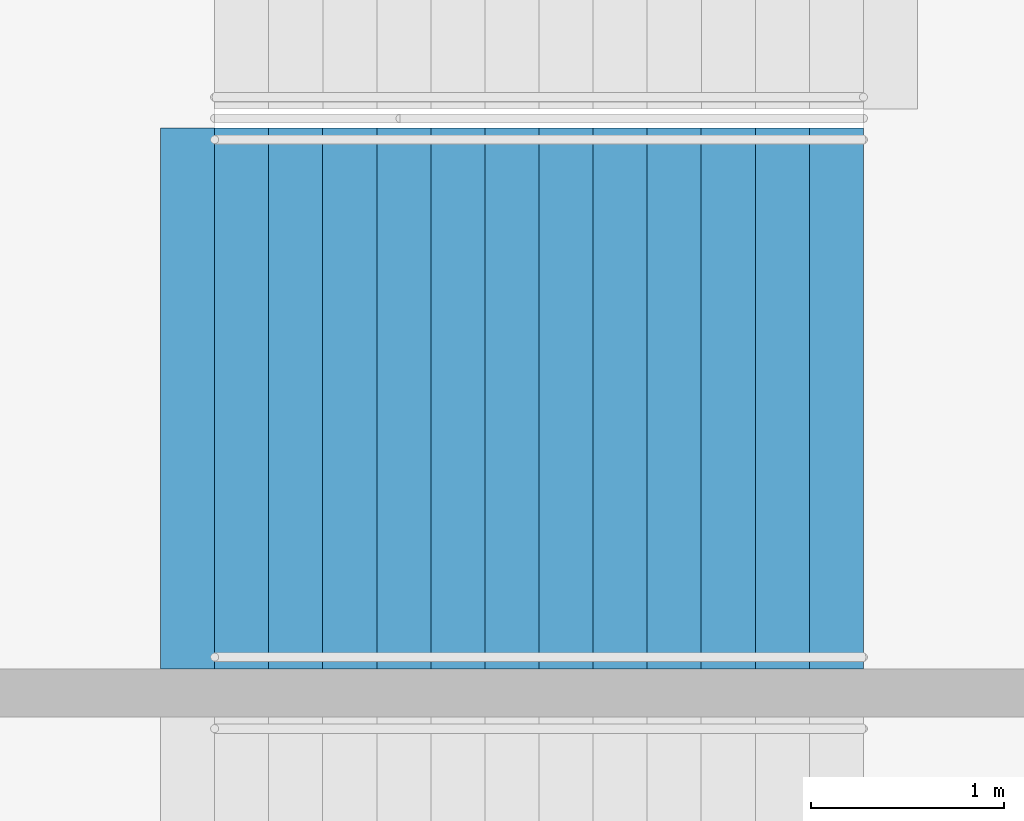
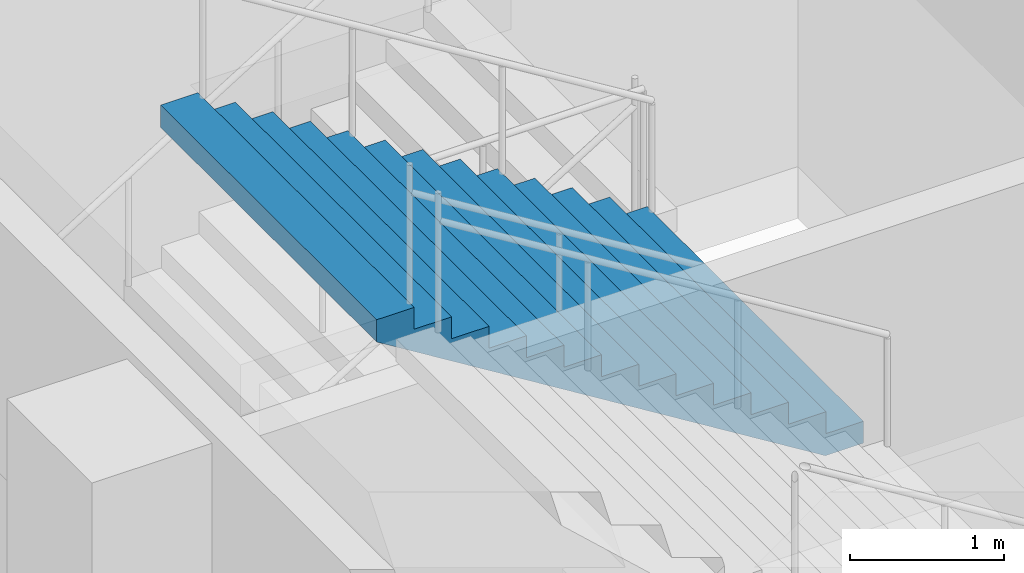
# One storey, part 148 of 199: 1 stair flight, 1 element without a shape of its own.
"""IFC4 building model written with IfcOpenShell, lengths in metres."""

from ifc_helpers import new_model, si_unit, direction, frame, origin, place, context, subcontext, project, spatial, faceted_brep, material, type_object, element, aggregate, save


model = new_model("IFC4")

# Units and contexts
model_context = context("Model", 3, precision=1e-05, world=origin(), true_north=direction((0.0, 1.0)))
body_context = subcontext(model_context, "Body", "Model", "MODEL_VIEW")
ifc_project = project(units=[si_unit("LENGTHUNIT", "METRE"), si_unit("AREAUNIT", "SQUARE_METRE"), si_unit("VOLUMEUNIT", "CUBIC_METRE"), si_unit("PLANEANGLEUNIT", "RADIAN"), si_unit("MASSUNIT", "GRAM", prefix="KILO")], contexts=[model_context])

# Site, building, storey
site_placement = place(None, origin())
site = spatial("IfcSite", under=ifc_project, at=site_placement, CompositionType="ELEMENT")
building_placement = place(site_placement, origin())
building = spatial("IfcBuilding", under=site, at=building_placement, Name="Ogive Plaza Stadium", CompositionType="ELEMENT")
storey_placement = place(building_placement, frame((0.0, 0.0, 9.0)))
storey = spatial("IfcBuildingStorey", under=building, at=storey_placement, Name="L02", CompositionType="ELEMENT", Elevation=9.0)

# Stair, stair flight
ifc_material_1 = material(Name="Concrete C40/50", Category="concrete")
stair_type = type_object("IfcStairType", Name="Exit stair", PredefinedType="STRAIGHT_RUN_STAIR", material=ifc_material_1)
stair_placement = place(storey_placement, origin())
stair = element("IfcStair", 1, at=stair_placement, inside=storey, type_object=stair_type, Name="Exit stair ST04B L02 to L03", PredefinedType="STRAIGHT_RUN_STAIR")
ifc_material_2 = material(Name="Concrete C40/50", Category="concrete")
stair_flight_type = type_object("IfcStairFlightType", Name="Exit stair flight", PredefinedType="STRAIGHT", material=ifc_material_2)
stair_flight_placement = place(storey_placement, frame((79.7099609375, 9.02490234375, 2.25), z_axis=(0.0, 0.0, 1.0), x_axis=(-1.0, 0.0, 0.0)))
stair_flight = element("IfcStairFlight", 2, at=stair_flight_placement, type_object=stair_flight_type, Name="ST04B flight 2", NumberOfRisers=13, NumberOfTreads=12, PredefinedType="STRAIGHT", RiserHeight=0.173076923, TreadLength=0.28, context=body_context, shape_type="Brep", body=[
    faceted_brep([(0.28515625, -1.39990234375, 0.0), (3.639892578125, -1.39990234375, 2.07373046875), (3.639892578125, -1.39990234375, 2.25), (3.360107421875, -1.39990234375, 2.25), (3.360107421875, -1.39990234375, 2.076904296875), (3.080078125, -1.39990234375, 2.076904296875), (3.080078125, -1.39990234375, 1.90380859375), (2.800048828125, -1.39990234375, 1.90380859375), (2.800048828125, -1.39990234375, 1.730712890625), (2.52001953125, -1.39990234375, 1.730712890625), (2.52001953125, -1.39990234375, 1.5576171875), (2.239990234375, -1.39990234375, 1.5576171875), (2.239990234375, -1.39990234375, 1.384521484375), (1.9599609375, -1.39990234375, 1.384521484375), (1.9599609375, -1.39990234375, 1.21142578125), (1.679931640625, -1.39990234375, 1.21142578125), (1.679931640625, -1.39990234375, 1.03857421875), (1.39990234375, -1.39990234375, 1.03857421875), (1.39990234375, -1.39990234375, 0.865478515625), (1.1201171875, -1.39990234375, 0.865478515625), (1.1201171875, -1.39990234375, 0.6923828125), (0.840087890625, -1.39990234375, 0.6923828125), (0.840087890625, -1.39990234375, 0.519287109375), (0.56005859375, -1.39990234375, 0.519287109375), (0.56005859375, -1.39990234375, 0.34619140625), (0.280029296875, -1.39990234375, 0.34619140625), (0.280029296875, -1.39990234375, 0.173095703125), (0.0, -1.39990234375, 0.173095703125), (0.0, -1.39990234375, 0.0), (0.0, 1.39990234375, 0.0), (0.0, 1.39990234375, 0.173095703125), (0.280029296875, 1.39990234375, 0.173095703125), (0.280029296875, 1.39990234375, 0.34619140625), (0.56005859375, 1.39990234375, 0.34619140625), (0.56005859375, 1.39990234375, 0.519287109375), (0.840087890625, 1.39990234375, 0.519287109375), (0.840087890625, 1.39990234375, 0.6923828125), (1.1201171875, 1.39990234375, 0.6923828125), (1.1201171875, 1.39990234375, 0.865478515625), (1.39990234375, 1.39990234375, 0.865478515625), (1.39990234375, 1.39990234375, 1.03857421875), (1.679931640625, 1.39990234375, 1.03857421875), (1.679931640625, 1.39990234375, 1.21142578125), (1.9599609375, 1.39990234375, 1.21142578125), (1.9599609375, 1.39990234375, 1.384521484375), (2.239990234375, 1.39990234375, 1.384521484375), (2.239990234375, 1.39990234375, 1.5576171875), (2.52001953125, 1.39990234375, 1.5576171875), (2.52001953125, 1.39990234375, 1.730712890625), (2.800048828125, 1.39990234375, 1.730712890625), (2.800048828125, 1.39990234375, 1.90380859375), (3.080078125, 1.39990234375, 1.90380859375), (3.080078125, 1.39990234375, 2.076904296875), (3.360107421875, 1.39990234375, 2.076904296875), (3.360107421875, 1.39990234375, 2.25), (3.639892578125, 1.39990234375, 2.25), (3.639892578125, 1.39990234375, 2.07373046875), (0.28515625, 1.39990234375, 0.0), (0.28515625, -1.0888671875, 0.0), (3.639892578125, -1.0888671875, 2.07373046875), (0.28515625, -0.77783203125, 0.0), (3.639892578125, -0.77783203125, 2.07373046875), (0.28515625, -0.466796875, 0.0), (3.639892578125, -0.466796875, 2.07373046875), (0.28515625, -0.155517578125, 0.0), (3.639892578125, -0.155517578125, 2.07373046875), (0.28515625, 0.155517578125, 0.0), (3.639892578125, 0.155517578125, 2.07373046875), (0.28515625, 0.466796875, 0.0), (3.639892578125, 0.466796875, 2.07373046875), (0.28515625, 0.77783203125, 0.0), (3.639892578125, 0.77783203125, 2.07373046875), (0.28515625, 1.0888671875, 0.0), (3.639892578125, 1.0888671875, 2.07373046875), (3.639892578125, -1.0888671875, 2.25), (3.639892578125, -0.77783203125, 2.25), (3.639892578125, -0.466796875, 2.25), (3.639892578125, -0.155517578125, 2.25), (3.639892578125, 0.155517578125, 2.25), (3.639892578125, 0.466796875, 2.25), (3.639892578125, 0.77783203125, 2.25), (3.639892578125, 1.0888671875, 2.25), (3.360107421875, -1.0888671875, 2.25), (3.360107421875, -0.77783203125, 2.25), (3.360107421875, -0.466796875, 2.25), (3.360107421875, -0.155517578125, 2.25), (3.360107421875, 0.155517578125, 2.25), (3.360107421875, 0.466796875, 2.25), (3.360107421875, 0.77783203125, 2.25), (3.360107421875, 1.0888671875, 2.25), (3.360107421875, -1.0888671875, 2.076904296875), (3.360107421875, -0.77783203125, 2.076904296875), (3.360107421875, -0.466796875, 2.076904296875), (3.360107421875, -0.155517578125, 2.076904296875), (3.360107421875, 0.155517578125, 2.076904296875), (3.360107421875, 0.466796875, 2.076904296875), (3.360107421875, 0.77783203125, 2.076904296875), (3.360107421875, 1.0888671875, 2.076904296875), (3.080078125, -1.0888671875, 2.076904296875), (3.080078125, -0.77783203125, 2.076904296875), (3.080078125, -0.466796875, 2.076904296875), (3.080078125, -0.155517578125, 2.076904296875), (3.080078125, 0.155517578125, 2.076904296875), (3.080078125, 0.466796875, 2.076904296875), (3.080078125, 0.77783203125, 2.076904296875), (3.080078125, 1.0888671875, 2.076904296875), (3.080078125, -1.0888671875, 1.90380859375), (3.080078125, -0.77783203125, 1.90380859375), (3.080078125, -0.466796875, 1.90380859375), (3.080078125, -0.155517578125, 1.90380859375), (3.080078125, 0.155517578125, 1.90380859375), (3.080078125, 0.466796875, 1.90380859375), (3.080078125, 0.77783203125, 1.90380859375), (3.080078125, 1.0888671875, 1.90380859375), (2.800048828125, -1.0888671875, 1.90380859375), (2.800048828125, -0.77783203125, 1.90380859375), (2.800048828125, -0.466796875, 1.90380859375), (2.800048828125, -0.155517578125, 1.90380859375), (2.800048828125, 0.155517578125, 1.90380859375), (2.800048828125, 0.466796875, 1.90380859375), (2.800048828125, 0.77783203125, 1.90380859375), (2.800048828125, 1.0888671875, 1.90380859375), (2.800048828125, -1.0888671875, 1.730712890625), (2.800048828125, -0.77783203125, 1.730712890625), (2.800048828125, -0.466796875, 1.730712890625), (2.800048828125, -0.155517578125, 1.730712890625), (2.800048828125, 0.155517578125, 1.730712890625), (2.800048828125, 0.466796875, 1.730712890625), (2.800048828125, 0.77783203125, 1.730712890625), (2.800048828125, 1.0888671875, 1.730712890625), (2.52001953125, -1.0888671875, 1.730712890625), (2.52001953125, -0.77783203125, 1.730712890625), (2.52001953125, -0.466796875, 1.730712890625), (2.52001953125, -0.155517578125, 1.730712890625), (2.52001953125, 0.155517578125, 1.730712890625), (2.52001953125, 0.466796875, 1.730712890625), (2.52001953125, 0.77783203125, 1.730712890625), (2.52001953125, 1.0888671875, 1.730712890625), (2.52001953125, -1.0888671875, 1.5576171875), (2.52001953125, -0.77783203125, 1.5576171875), (2.52001953125, -0.466796875, 1.5576171875), (2.52001953125, -0.155517578125, 1.5576171875), (2.52001953125, 0.155517578125, 1.5576171875), (2.52001953125, 0.466796875, 1.5576171875), (2.52001953125, 0.77783203125, 1.5576171875), (2.52001953125, 1.0888671875, 1.5576171875), (2.239990234375, -1.0888671875, 1.5576171875), (2.239990234375, -0.77783203125, 1.5576171875), (2.239990234375, -0.466796875, 1.5576171875), (2.239990234375, -0.155517578125, 1.5576171875), (2.239990234375, 0.155517578125, 1.5576171875), (2.239990234375, 0.466796875, 1.5576171875), (2.239990234375, 0.77783203125, 1.5576171875), (2.239990234375, 1.0888671875, 1.5576171875), (2.239990234375, -1.0888671875, 1.384521484375), (2.239990234375, -0.77783203125, 1.384521484375), (2.239990234375, -0.466796875, 1.384521484375), (2.239990234375, -0.155517578125, 1.384521484375), (2.239990234375, 0.155517578125, 1.384521484375), (2.239990234375, 0.466796875, 1.384521484375), (2.239990234375, 0.77783203125, 1.384521484375), (2.239990234375, 1.0888671875, 1.384521484375), (1.9599609375, -1.0888671875, 1.384521484375), (1.9599609375, -0.77783203125, 1.384521484375), (1.9599609375, -0.466796875, 1.384521484375), (1.9599609375, -0.155517578125, 1.384521484375), (1.9599609375, 0.155517578125, 1.384521484375), (1.9599609375, 0.466796875, 1.384521484375), (1.9599609375, 0.77783203125, 1.384521484375), (1.9599609375, 1.0888671875, 1.384521484375), (1.9599609375, -1.0888671875, 1.21142578125), (1.9599609375, -0.77783203125, 1.21142578125), (1.9599609375, -0.466796875, 1.21142578125), (1.9599609375, -0.155517578125, 1.21142578125), (1.9599609375, 0.155517578125, 1.21142578125), (1.9599609375, 0.466796875, 1.21142578125), (1.9599609375, 0.77783203125, 1.21142578125), (1.9599609375, 1.0888671875, 1.21142578125), (1.679931640625, -1.0888671875, 1.21142578125), (1.679931640625, -0.77783203125, 1.21142578125), (1.679931640625, -0.466796875, 1.21142578125), (1.679931640625, -0.155517578125, 1.21142578125), (1.679931640625, 0.155517578125, 1.21142578125), (1.679931640625, 0.466796875, 1.21142578125), (1.679931640625, 0.77783203125, 1.21142578125), (1.679931640625, 1.0888671875, 1.21142578125), (1.679931640625, -1.0888671875, 1.03857421875), (1.679931640625, -0.77783203125, 1.03857421875), (1.679931640625, -0.466796875, 1.03857421875), (1.679931640625, -0.155517578125, 1.03857421875), (1.679931640625, 0.155517578125, 1.03857421875), (1.679931640625, 0.466796875, 1.03857421875), (1.679931640625, 0.77783203125, 1.03857421875), (1.679931640625, 1.0888671875, 1.03857421875), (1.39990234375, -1.0888671875, 1.03857421875), (1.39990234375, -0.77783203125, 1.03857421875), (1.39990234375, -0.466796875, 1.03857421875), (1.39990234375, -0.155517578125, 1.03857421875), (1.39990234375, 0.155517578125, 1.03857421875), (1.39990234375, 0.466796875, 1.03857421875), (1.39990234375, 0.77783203125, 1.03857421875), (1.39990234375, 1.0888671875, 1.03857421875), (1.39990234375, -1.0888671875, 0.865478515625), (1.39990234375, -0.77783203125, 0.865478515625), (1.39990234375, -0.466796875, 0.865478515625), (1.39990234375, -0.155517578125, 0.865478515625), (1.39990234375, 0.155517578125, 0.865478515625), (1.39990234375, 0.466796875, 0.865478515625), (1.39990234375, 0.77783203125, 0.865478515625), (1.39990234375, 1.0888671875, 0.865478515625), (1.1201171875, -1.0888671875, 0.865478515625), (1.1201171875, -0.77783203125, 0.865478515625), (1.1201171875, -0.466796875, 0.865478515625), (1.1201171875, -0.155517578125, 0.865478515625), (1.1201171875, 0.155517578125, 0.865478515625), (1.1201171875, 0.466796875, 0.865478515625), (1.1201171875, 0.77783203125, 0.865478515625), (1.1201171875, 1.0888671875, 0.865478515625), (1.1201171875, -1.0888671875, 0.6923828125), (1.1201171875, -0.77783203125, 0.6923828125), (1.1201171875, -0.466796875, 0.6923828125), (1.1201171875, -0.155517578125, 0.6923828125), (1.1201171875, 0.155517578125, 0.6923828125), (1.1201171875, 0.466796875, 0.6923828125), (1.1201171875, 0.77783203125, 0.6923828125), (1.1201171875, 1.0888671875, 0.6923828125), (0.840087890625, -1.0888671875, 0.6923828125), (0.840087890625, -0.77783203125, 0.6923828125), (0.840087890625, -0.466796875, 0.6923828125), (0.840087890625, -0.155517578125, 0.6923828125), (0.840087890625, 0.155517578125, 0.6923828125), (0.840087890625, 0.466796875, 0.6923828125), (0.840087890625, 0.77783203125, 0.6923828125), (0.840087890625, 1.0888671875, 0.6923828125), (0.840087890625, -1.0888671875, 0.519287109375), (0.840087890625, -0.77783203125, 0.519287109375), (0.840087890625, -0.466796875, 0.519287109375), (0.840087890625, -0.155517578125, 0.519287109375), (0.840087890625, 0.155517578125, 0.519287109375), (0.840087890625, 0.466796875, 0.519287109375), (0.840087890625, 0.77783203125, 0.519287109375), (0.840087890625, 1.0888671875, 0.519287109375), (0.56005859375, -1.0888671875, 0.519287109375), (0.56005859375, -0.77783203125, 0.519287109375), (0.56005859375, -0.466796875, 0.519287109375), (0.56005859375, -0.155517578125, 0.519287109375), (0.56005859375, 0.155517578125, 0.519287109375), (0.56005859375, 0.466796875, 0.519287109375), (0.56005859375, 0.77783203125, 0.519287109375), (0.56005859375, 1.0888671875, 0.519287109375), (0.56005859375, -1.0888671875, 0.34619140625), (0.56005859375, -0.77783203125, 0.34619140625), (0.56005859375, -0.466796875, 0.34619140625), (0.56005859375, -0.155517578125, 0.34619140625), (0.56005859375, 0.155517578125, 0.34619140625), (0.56005859375, 0.466796875, 0.34619140625), (0.56005859375, 0.77783203125, 0.34619140625), (0.56005859375, 1.0888671875, 0.34619140625), (0.280029296875, -1.0888671875, 0.34619140625), (0.280029296875, -0.77783203125, 0.34619140625), (0.280029296875, -0.466796875, 0.34619140625), (0.280029296875, -0.155517578125, 0.34619140625), (0.280029296875, 0.155517578125, 0.34619140625), (0.280029296875, 0.466796875, 0.34619140625), (0.280029296875, 0.77783203125, 0.34619140625), (0.280029296875, 1.0888671875, 0.34619140625), (0.280029296875, -1.0888671875, 0.173095703125), (0.280029296875, -0.77783203125, 0.173095703125), (0.280029296875, -0.466796875, 0.173095703125), (0.280029296875, -0.155517578125, 0.173095703125), (0.280029296875, 0.155517578125, 0.173095703125), (0.280029296875, 0.466796875, 0.173095703125), (0.280029296875, 0.77783203125, 0.173095703125), (0.280029296875, 1.0888671875, 0.173095703125), (0.0, -1.0888671875, 0.173095703125), (0.0, -0.77783203125, 0.173095703125), (0.0, -0.466796875, 0.173095703125), (0.0, -0.155517578125, 0.173095703125), (0.0, 0.155517578125, 0.173095703125), (0.0, 0.466796875, 0.173095703125), (0.0, 0.77783203125, 0.173095703125), (0.0, 1.0888671875, 0.173095703125), (0.0, -1.0888671875, 0.0), (0.0, -0.77783203125, 0.0), (0.0, -0.466796875, 0.0), (0.0, -0.155517578125, 0.0), (0.0, 0.155517578125, 0.0), (0.0, 0.466796875, 0.0), (0.0, 0.77783203125, 0.0), (0.0, 1.0888671875, 0.0)], [[[0, 1, 2, 3, 4, 5, 6, 7, 8, 9, 10, 11, 12, 13, 14, 15, 16, 17, 18, 19, 20, 21, 22, 23, 24, 25, 26, 27, 28]], [[29, 30, 31, 32, 33, 34, 35, 36, 37, 38, 39, 40, 41, 42, 43, 44, 45, 46, 47, 48, 49, 50, 51, 52, 53, 54, 55, 56, 57]], [[0, 58, 59, 1]], [[58, 60, 61, 59]], [[60, 62, 63, 61]], [[62, 64, 65, 63]], [[64, 66, 67, 65]], [[66, 68, 69, 67]], [[68, 70, 71, 69]], [[70, 72, 73, 71]], [[72, 57, 56, 73]], [[1, 59, 74, 2]], [[59, 61, 75, 74]], [[61, 63, 76, 75]], [[63, 65, 77, 76]], [[65, 67, 78, 77]], [[67, 69, 79, 78]], [[69, 71, 80, 79]], [[71, 73, 81, 80]], [[73, 56, 55, 81]], [[2, 74, 82, 3]], [[74, 75, 83, 82]], [[75, 76, 84, 83]], [[76, 77, 85, 84]], [[77, 78, 86, 85]], [[78, 79, 87, 86]], [[79, 80, 88, 87]], [[80, 81, 89, 88]], [[81, 55, 54, 89]], [[3, 82, 90, 4]], [[82, 83, 91, 90]], [[83, 84, 92, 91]], [[84, 85, 93, 92]], [[85, 86, 94, 93]], [[86, 87, 95, 94]], [[87, 88, 96, 95]], [[88, 89, 97, 96]], [[89, 54, 53, 97]], [[4, 90, 98, 5]], [[90, 91, 99, 98]], [[91, 92, 100, 99]], [[92, 93, 101, 100]], [[93, 94, 102, 101]], [[94, 95, 103, 102]], [[95, 96, 104, 103]], [[96, 97, 105, 104]], [[97, 53, 52, 105]], [[5, 98, 106, 6]], [[98, 99, 107, 106]], [[99, 100, 108, 107]], [[100, 101, 109, 108]], [[101, 102, 110, 109]], [[102, 103, 111, 110]], [[103, 104, 112, 111]], [[104, 105, 113, 112]], [[105, 52, 51, 113]], [[6, 106, 114, 7]], [[106, 107, 115, 114]], [[107, 108, 116, 115]], [[108, 109, 117, 116]], [[109, 110, 118, 117]], [[110, 111, 119, 118]], [[111, 112, 120, 119]], [[112, 113, 121, 120]], [[113, 51, 50, 121]], [[7, 114, 122, 8]], [[114, 115, 123, 122]], [[115, 116, 124, 123]], [[116, 117, 125, 124]], [[117, 118, 126, 125]], [[118, 119, 127, 126]], [[119, 120, 128, 127]], [[120, 121, 129, 128]], [[121, 50, 49, 129]], [[8, 122, 130, 9]], [[122, 123, 131, 130]], [[123, 124, 132, 131]], [[124, 125, 133, 132]], [[125, 126, 134, 133]], [[126, 127, 135, 134]], [[127, 128, 136, 135]], [[128, 129, 137, 136]], [[129, 49, 48, 137]], [[9, 130, 138, 10]], [[130, 131, 139, 138]], [[131, 132, 140, 139]], [[132, 133, 141, 140]], [[133, 134, 142, 141]], [[134, 135, 143, 142]], [[135, 136, 144, 143]], [[136, 137, 145, 144]], [[137, 48, 47, 145]], [[10, 138, 146, 11]], [[138, 139, 147, 146]], [[139, 140, 148, 147]], [[140, 141, 149, 148]], [[141, 142, 150, 149]], [[142, 143, 151, 150]], [[143, 144, 152, 151]], [[144, 145, 153, 152]], [[145, 47, 46, 153]], [[11, 146, 154, 12]], [[146, 147, 155, 154]], [[147, 148, 156, 155]], [[148, 149, 157, 156]], [[149, 150, 158, 157]], [[150, 151, 159, 158]], [[151, 152, 160, 159]], [[152, 153, 161, 160]], [[153, 46, 45, 161]], [[12, 154, 162, 13]], [[154, 155, 163, 162]], [[155, 156, 164, 163]], [[156, 157, 165, 164]], [[157, 158, 166, 165]], [[158, 159, 167, 166]], [[159, 160, 168, 167]], [[160, 161, 169, 168]], [[161, 45, 44, 169]], [[13, 162, 170, 14]], [[162, 163, 171, 170]], [[163, 164, 172, 171]], [[164, 165, 173, 172]], [[165, 166, 174, 173]], [[166, 167, 175, 174]], [[167, 168, 176, 175]], [[168, 169, 177, 176]], [[169, 44, 43, 177]], [[14, 170, 178, 15]], [[170, 171, 179, 178]], [[171, 172, 180, 179]], [[172, 173, 181, 180]], [[173, 174, 182, 181]], [[174, 175, 183, 182]], [[175, 176, 184, 183]], [[176, 177, 185, 184]], [[177, 43, 42, 185]], [[15, 178, 186, 16]], [[178, 179, 187, 186]], [[179, 180, 188, 187]], [[180, 181, 189, 188]], [[181, 182, 190, 189]], [[182, 183, 191, 190]], [[183, 184, 192, 191]], [[184, 185, 193, 192]], [[185, 42, 41, 193]], [[16, 186, 194, 17]], [[186, 187, 195, 194]], [[187, 188, 196, 195]], [[188, 189, 197, 196]], [[189, 190, 198, 197]], [[190, 191, 199, 198]], [[191, 192, 200, 199]], [[192, 193, 201, 200]], [[193, 41, 40, 201]], [[17, 194, 202, 18]], [[194, 195, 203, 202]], [[195, 196, 204, 203]], [[196, 197, 205, 204]], [[197, 198, 206, 205]], [[198, 199, 207, 206]], [[199, 200, 208, 207]], [[200, 201, 209, 208]], [[201, 40, 39, 209]], [[18, 202, 210, 19]], [[202, 203, 211, 210]], [[203, 204, 212, 211]], [[204, 205, 213, 212]], [[205, 206, 214, 213]], [[206, 207, 215, 214]], [[207, 208, 216, 215]], [[208, 209, 217, 216]], [[209, 39, 38, 217]], [[19, 210, 218, 20]], [[210, 211, 219, 218]], [[211, 212, 220, 219]], [[212, 213, 221, 220]], [[213, 214, 222, 221]], [[214, 215, 223, 222]], [[215, 216, 224, 223]], [[216, 217, 225, 224]], [[217, 38, 37, 225]], [[20, 218, 226, 21]], [[218, 219, 227, 226]], [[219, 220, 228, 227]], [[220, 221, 229, 228]], [[221, 222, 230, 229]], [[222, 223, 231, 230]], [[223, 224, 232, 231]], [[224, 225, 233, 232]], [[225, 37, 36, 233]], [[21, 226, 234, 22]], [[226, 227, 235, 234]], [[227, 228, 236, 235]], [[228, 229, 237, 236]], [[229, 230, 238, 237]], [[230, 231, 239, 238]], [[231, 232, 240, 239]], [[232, 233, 241, 240]], [[233, 36, 35, 241]], [[22, 234, 242, 23]], [[234, 235, 243, 242]], [[235, 236, 244, 243]], [[236, 237, 245, 244]], [[237, 238, 246, 245]], [[238, 239, 247, 246]], [[239, 240, 248, 247]], [[240, 241, 249, 248]], [[241, 35, 34, 249]], [[23, 242, 250, 24]], [[242, 243, 251, 250]], [[243, 244, 252, 251]], [[244, 245, 253, 252]], [[245, 246, 254, 253]], [[246, 247, 255, 254]], [[247, 248, 256, 255]], [[248, 249, 257, 256]], [[249, 34, 33, 257]], [[24, 250, 258, 25]], [[250, 251, 259, 258]], [[251, 252, 260, 259]], [[252, 253, 261, 260]], [[253, 254, 262, 261]], [[254, 255, 263, 262]], [[255, 256, 264, 263]], [[256, 257, 265, 264]], [[257, 33, 32, 265]], [[25, 258, 266, 26]], [[258, 259, 267, 266]], [[259, 260, 268, 267]], [[260, 261, 269, 268]], [[261, 262, 270, 269]], [[262, 263, 271, 270]], [[263, 264, 272, 271]], [[264, 265, 273, 272]], [[265, 32, 31, 273]], [[26, 266, 274, 27]], [[266, 267, 275, 274]], [[267, 268, 276, 275]], [[268, 269, 277, 276]], [[269, 270, 278, 277]], [[270, 271, 279, 278]], [[271, 272, 280, 279]], [[272, 273, 281, 280]], [[273, 31, 30, 281]], [[27, 274, 282, 28]], [[274, 275, 283, 282]], [[275, 276, 284, 283]], [[276, 277, 285, 284]], [[277, 278, 286, 285]], [[278, 279, 287, 286]], [[279, 280, 288, 287]], [[280, 281, 289, 288]], [[281, 30, 29, 289]], [[28, 282, 58, 0]], [[282, 283, 60, 58]], [[283, 284, 62, 60]], [[284, 285, 64, 62]], [[285, 286, 66, 64]], [[286, 287, 68, 66]], [[287, 288, 70, 68]], [[288, 289, 72, 70]], [[289, 29, 57, 72]]]),
])
aggregate(stair, [stair_flight])

save(model, "model.ifc")
